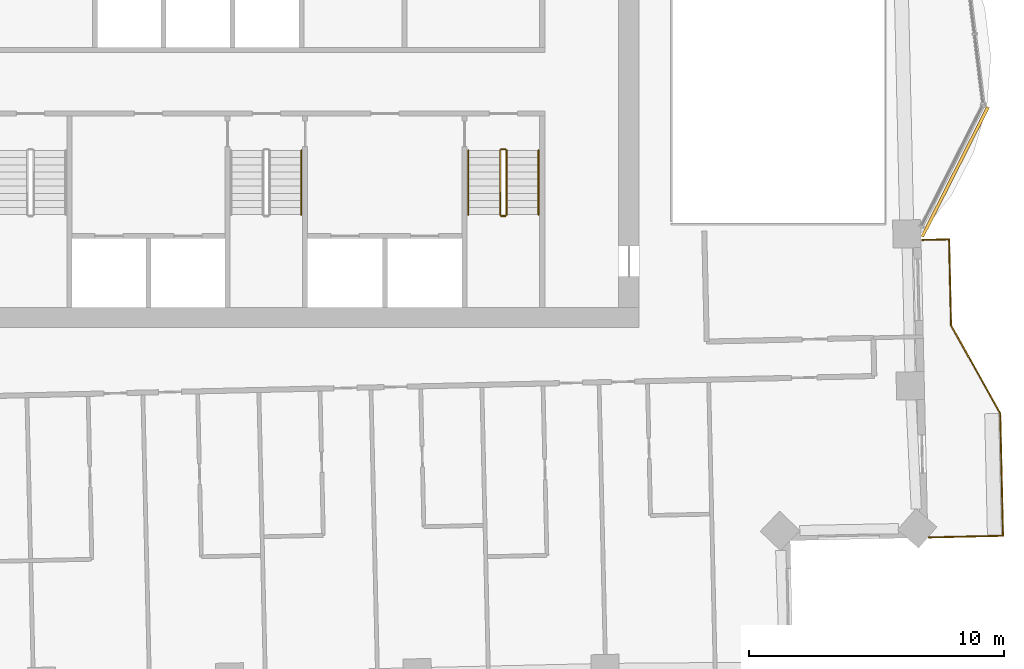
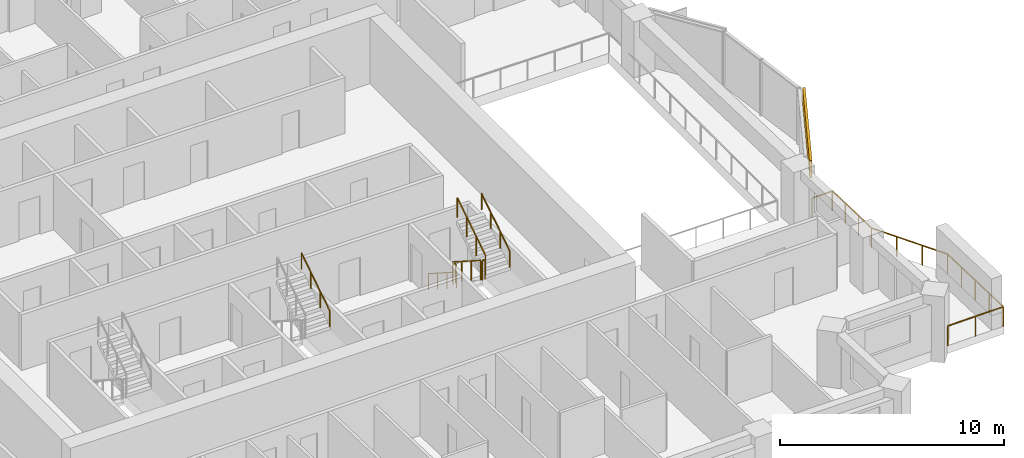
# One storey, part 16 of 17: 8 railings, 1 covering.
"""IFC4 building model written with IfcOpenShell, lengths in metres."""

from ifc_helpers import new_model, si_unit, direction, frame, frame_2d, origin, origin_2d, place, context, subcontext, project, spatial, rectangle, circle, extrude, material, layer, layer_set, type_object, element, save


model = new_model("IFC4")

# Units and contexts
model_context = context("Model", 3, precision=1e-05, world=origin(), true_north=direction((0.0, 1.0)))
body_context = subcontext(model_context, "Body", "Model", "MODEL_VIEW")
ifc_project = project(units=[si_unit("LENGTHUNIT", "METRE"), si_unit("AREAUNIT", "SQUARE_METRE"), si_unit("VOLUMEUNIT", "CUBIC_METRE"), si_unit("PLANEANGLEUNIT", "RADIAN"), si_unit("MASSUNIT", "GRAM", prefix="KILO")], contexts=[model_context])

# Site, building, storey
site_placement = place(None, origin())
site = spatial("IfcSite", under=ifc_project, at=site_placement, CompositionType="ELEMENT")
building_placement = place(site_placement, origin())
building = spatial("IfcBuilding", under=site, at=building_placement, Name="Mangrove Gate Tower", CompositionType="ELEMENT")
storey_placement = place(building_placement, frame((0.0, 0.0, 238.300048828125)))
storey = spatial("IfcBuildingStorey", under=building, at=storey_placement, Name="L60", CompositionType="ELEMENT", Elevation=238.300048828125)

# Railings
ifc_material_1 = material(Name="Stainless steel grade 316 with laminated glass infill", Category="steel")
railing_type_1 = type_object("IfcRailingType", Name="Balcony guard 1100", PredefinedType="GUARDRAIL", material=ifc_material_1)
railing_1_placement = place(storey_placement, frame((25.964111328125, -19.8291015625, 0.0)))
element("IfcRailing", 1, at=railing_1_placement, inside=storey, type_object=railing_type_1, Name="GUARD L60 E1", PredefinedType="GUARDRAIL", context=body_context, shape_type="SweptSolid", body=[
    extrude(rectangle(XDim=0.048095703125, YDim=0.048095703125, at=origin_2d()), frame((0.0, 0.0, 1.076171875), z_axis=(0.99974144554, 0.022738559105, 0.0), x_axis=(-0.022738559105, 0.99974144554, 0.0)), (0.0, 0.0, 1.0), 2.90966796875),
    extrude(rectangle(XDim=0.048095703125, YDim=0.048095703125, at=origin_2d()), frame((2.908935546875, 0.066162109375, 1.076171875), z_axis=(-0.022739894798, 0.999741415159, 0.0), x_axis=(-0.999741415159, -0.022739894798, 0.0)), (0.0, 0.0, 1.0), 4.799072265625),
    extrude(rectangle(XDim=0.048095703125, YDim=0.048095703125, at=origin_2d()), frame((2.7998046875, 4.864013671875, 1.076171875), z_axis=(-0.48726008209, 0.87325689943, 0.0), x_axis=(-0.87325689943, -0.48726008209, 0.0)), (0.0, 0.0, 1.0), 3.958740234375),
    extrude(rectangle(XDim=0.048095703125, YDim=0.048095703125, at=origin_2d()), frame((0.870849609375, 8.321044921875, 1.076171875), z_axis=(-0.02278713509, 0.999740339525, 0.0), x_axis=(-0.999740339525, -0.02278713509, 0.0)), (0.0, 0.0, 1.0), 3.375),
    extrude(rectangle(XDim=0.048095703125, YDim=0.048095703125, at=origin_2d()), frame((0.7939453125, 11.695068359375, 1.076171875), z_axis=(-0.999744919731, -0.022585293253, 0.0), x_axis=(0.022585293253, -0.999744919731, 0.0)), (0.0, 0.0, 1.0), 1.059326171875),
    extrude(rectangle(XDim=0.0419921875, YDim=0.0419921875, at=origin_2d()), origin(), (0.0, 0.0, 1.0), 1.052001953125),
    extrude(rectangle(XDim=0.0419921875, YDim=0.0419921875, at=origin_2d()), frame((1.45458984375, 0.033203125, 0.0)), (0.0, 0.0, 1.0), 1.052001953125),
    extrude(rectangle(XDim=0.0419921875, YDim=0.0419921875, at=origin_2d()), frame((2.908935546875, 0.066162109375, 0.0)), (0.0, 0.0, 1.0), 1.052001953125),
    extrude(rectangle(XDim=0.0419921875, YDim=0.0419921875, at=origin_2d()), frame((2.881591796875, 1.265625, 0.0)), (0.0, 0.0, 1.0), 1.052001953125),
    extrude(rectangle(XDim=0.0419921875, YDim=0.0419921875, at=origin_2d()), frame((2.8544921875, 2.465087890625, 0.0)), (0.0, 0.0, 1.0), 1.052001953125),
    extrude(rectangle(XDim=0.0419921875, YDim=0.0419921875, at=origin_2d()), frame((2.8271484375, 3.66455078125, 0.0)), (0.0, 0.0, 1.0), 1.052001953125),
    extrude(rectangle(XDim=0.0419921875, YDim=0.0419921875, at=origin_2d()), frame((2.7998046875, 4.864013671875, 0.0)), (0.0, 0.0, 1.0), 1.052001953125),
    extrude(rectangle(XDim=0.0419921875, YDim=0.0419921875, at=origin_2d()), frame((2.15673828125, 6.016357421875, 0.0)), (0.0, 0.0, 1.0), 1.052001953125),
    extrude(rectangle(XDim=0.0419921875, YDim=0.0419921875, at=origin_2d()), frame((1.513916015625, 7.168701171875, 0.0)), (0.0, 0.0, 1.0), 1.052001953125),
    extrude(rectangle(XDim=0.0419921875, YDim=0.0419921875, at=origin_2d()), frame((0.870849609375, 8.321044921875, 0.0)), (0.0, 0.0, 1.0), 1.052001953125),
    extrude(rectangle(XDim=0.0419921875, YDim=0.0419921875, at=origin_2d()), frame((0.84521484375, 9.44580078125, 0.0)), (0.0, 0.0, 1.0), 1.052001953125),
    extrude(rectangle(XDim=0.0419921875, YDim=0.0419921875, at=origin_2d()), frame((0.819580078125, 10.5703125, 0.0)), (0.0, 0.0, 1.0), 1.052001953125),
    extrude(rectangle(XDim=0.0419921875, YDim=0.0419921875, at=origin_2d()), frame((0.7939453125, 11.695068359375, 0.0)), (0.0, 0.0, 1.0), 1.052001953125),
    extrude(rectangle(XDim=0.0419921875, YDim=0.0419921875, at=origin_2d()), frame((-0.26513671875, 11.671142578125, 0.0)), (0.0, 0.0, 1.0), 1.052001953125),
])
ifc_material_2 = material(Name="Stainless steel 316", Category="steel")
railing_type_2 = type_object("IfcRailingType", Name="Core stair guard 1100", PredefinedType="GUARDRAIL", material=ifc_material_2)
railing_2_placement = place(storey_placement, frame((9.14990234375, -4.64990234375, 0.179931640625)))
element("IfcRailing", 2, at=railing_2_placement, inside=storey, type_object=railing_type_2, Name="L60 ST3 stair guard 1", PredefinedType="GUARDRAIL", context=body_context, shape_type="SweptSolid", body=[
    extrude(rectangle(XDim=0.048095703125, YDim=0.048095703125, at=origin_2d()), frame((0.0, 0.0, 1.076171875), z_axis=(0.0, -0.841162588446, 0.540782303519), x_axis=(1.0, 0.0, 0.0)), (0.0, 0.0, 1.0), 2.995849609375),
    extrude(rectangle(XDim=0.0419921875, YDim=0.0419921875, at=origin_2d()), origin(), (0.0, 0.0, 1.0), 1.052001953125),
    extrude(rectangle(XDim=0.0419921875, YDim=0.0419921875, at=origin_2d()), frame((0.0, -0.840087890625, 0.5400390625)), (0.0, 0.0, 1.0), 1.052001953125),
    extrude(rectangle(XDim=0.0419921875, YDim=0.0419921875, at=origin_2d()), frame((0.0, -1.679931640625, 1.080078125)), (0.0, 0.0, 1.0), 1.052001953125),
    extrude(rectangle(XDim=0.0419921875, YDim=0.0419921875, at=origin_2d()), frame((0.0, -2.52001953125, 1.6201171875)), (0.0, 0.0, 1.0), 1.052001953125),
])
railing_3_placement = place(storey_placement, frame((9.199951171875, -7.219970703125, 1.800048828125)))
element("IfcRailing", 3, at=railing_3_placement, inside=storey, type_object=railing_type_2, Name="L60 ST3 stair guard 2", PredefinedType="GUARDRAIL", context=body_context, shape_type="SweptSolid", body=[
    extrude(rectangle(XDim=0.048095703125, YDim=0.048095703125, at=origin_2d()), frame((0.0, 0.0, 1.076171875), z_axis=(1.0, 0.0, 0.0), x_axis=(0.0, 1.0, 0.0)), (0.0, 0.0, 1.0), 0.150146484375),
    extrude(rectangle(XDim=0.0419921875, YDim=0.0419921875, at=origin_2d()), origin(), (0.0, 0.0, 1.0), 1.052001953125),
    extrude(rectangle(XDim=0.0419921875, YDim=0.0419921875, at=origin_2d()), frame((0.150146484375, 0.0, 0.0)), (0.0, 0.0, 1.0), 1.052001953125),
])
railing_4_placement = place(storey_placement, frame((9.39990234375, -7.169921875, 1.97998046875)))
element("IfcRailing", 4, at=railing_4_placement, inside=storey, type_object=railing_type_2, Name="L60 ST3 stair guard 3", PredefinedType="GUARDRAIL", context=body_context, shape_type="SweptSolid", body=[
    extrude(rectangle(XDim=0.048095703125, YDim=0.048095703125, at=origin_2d()), frame((0.0, 0.0, 1.076171875), z_axis=(0.0, 0.841199657755, 0.540724639528), x_axis=(-1.0, 0.0, 0.0)), (0.0, 0.0, 1.0), 2.995849609375),
    extrude(rectangle(XDim=0.0419921875, YDim=0.0419921875, at=origin_2d()), origin(), (0.0, 0.0, 1.0), 1.052001953125),
    extrude(rectangle(XDim=0.0419921875, YDim=0.0419921875, at=origin_2d()), frame((0.0, 0.840087890625, 0.5400390625)), (0.0, 0.0, 1.0), 1.052001953125),
    extrude(rectangle(XDim=0.0419921875, YDim=0.0419921875, at=origin_2d()), frame((0.0, 1.679931640625, 1.079833984375)), (0.0, 0.0, 1.0), 1.052001953125),
    extrude(rectangle(XDim=0.0419921875, YDim=0.0419921875, at=origin_2d()), frame((0.0, 2.52001953125, 1.619873046875)), (0.0, 0.0, 1.0), 1.052001953125),
])
railing_5_placement = place(storey_placement, frame((9.199951171875, -4.60009765625, 0.0)))
element("IfcRailing", 5, at=railing_5_placement, inside=storey, type_object=railing_type_2, Name="L60 ST3 stair guard 4", PredefinedType="GUARDRAIL", context=body_context, shape_type="SweptSolid", body=[
    extrude(rectangle(XDim=0.048095703125, YDim=0.048095703125, at=origin_2d()), frame((0.0, 0.0, 1.076171875), z_axis=(1.0, 0.0, 0.0), x_axis=(0.0, 1.0, 0.0)), (0.0, 0.0, 1.0), 0.150146484375),
    extrude(rectangle(XDim=0.0419921875, YDim=0.0419921875, at=origin_2d()), origin(), (0.0, 0.0, 1.0), 1.052001953125),
    extrude(rectangle(XDim=0.0419921875, YDim=0.0419921875, at=origin_2d()), frame((0.150146484375, 0.0, 0.0)), (0.0, 0.0, 1.0), 1.052001953125),
])
ifc_material_3 = material(Name="Stainless steel 316", Category="steel")
railing_type_3 = type_object("IfcRailingType", Name="Core stair handrail 900", PredefinedType="HANDRAIL", material=ifc_material_3)
railing_6_placement = place(storey_placement, frame((1.35009765625, -7.169921875, 1.97998046875)))
element("IfcRailing", 6, at=railing_6_placement, inside=storey, type_object=railing_type_3, Name="L60 ST2 stair handrail 2", PredefinedType="HANDRAIL", context=body_context, shape_type="SweptSolid", body=[
    extrude(circle(Radius=0.02392578125, at=origin_2d()), frame((0.0, 0.0, 0.8759765625), z_axis=(0.0, 0.841199657755, 0.540724639528), x_axis=(-1.0, 0.0, 0.0)), (0.0, 0.0, 1.0), 2.995849609375),
    extrude(circle(Radius=0.02099609375, at=origin_2d()), origin(), (0.0, 0.0, 1.0), 0.851806640625),
    extrude(circle(Radius=0.02099609375, at=origin_2d()), frame((0.0, 0.840087890625, 0.5400390625)), (0.0, 0.0, 1.0), 0.851806640625),
    extrude(circle(Radius=0.02099609375, at=origin_2d()), frame((0.0, 1.679931640625, 1.079833984375)), (0.0, 0.0, 1.0), 0.851806640625),
    extrude(circle(Radius=0.02099609375, at=origin_2d()), frame((0.0, 2.52001953125, 1.619873046875)), (0.0, 0.0, 1.0), 0.851806640625),
])
railing_7_placement = place(storey_placement, frame((7.89990234375, -4.64990234375, 0.179931640625)))
element("IfcRailing", 7, at=railing_7_placement, inside=storey, type_object=railing_type_3, Name="L60 ST3 stair handrail 1", PredefinedType="HANDRAIL", context=body_context, shape_type="SweptSolid", body=[
    extrude(circle(Radius=0.02392578125, at=origin_2d()), frame((0.0, 0.0, 0.8759765625), z_axis=(0.0, -0.841162588446, 0.540782303519), x_axis=(1.0, 0.0, 0.0)), (0.0, 0.0, 1.0), 2.995849609375),
    extrude(circle(Radius=0.02099609375, at=origin_2d()), origin(), (0.0, 0.0, 1.0), 0.851806640625),
    extrude(circle(Radius=0.02099609375, at=origin_2d()), frame((0.0, -0.840087890625, 0.5400390625)), (0.0, 0.0, 1.0), 0.851806640625),
    extrude(circle(Radius=0.02099609375, at=origin_2d()), frame((0.0, -1.679931640625, 1.080078125)), (0.0, 0.0, 1.0), 0.851806640625),
    extrude(circle(Radius=0.02099609375, at=origin_2d()), frame((0.0, -2.52001953125, 1.6201171875)), (0.0, 0.0, 1.0), 0.851806640625),
])
railing_8_placement = place(storey_placement, frame((10.64990234375, -7.169921875, 1.97998046875)))
element("IfcRailing", 8, at=railing_8_placement, inside=storey, type_object=railing_type_3, Name="L60 ST3 stair handrail 2", PredefinedType="HANDRAIL", context=body_context, shape_type="SweptSolid", body=[
    extrude(circle(Radius=0.02392578125, at=origin_2d()), frame((0.0, 0.0, 0.8759765625), z_axis=(0.0, 0.841199657755, 0.540724639528), x_axis=(-1.0, 0.0, 0.0)), (0.0, 0.0, 1.0), 2.995849609375),
    extrude(circle(Radius=0.02099609375, at=origin_2d()), origin(), (0.0, 0.0, 1.0), 0.851806640625),
    extrude(circle(Radius=0.02099609375, at=origin_2d()), frame((0.0, 0.840087890625, 0.5400390625)), (0.0, 0.0, 1.0), 0.851806640625),
    extrude(circle(Radius=0.02099609375, at=origin_2d()), frame((0.0, 1.679931640625, 1.079833984375)), (0.0, 0.0, 1.0), 0.851806640625),
    extrude(circle(Radius=0.02099609375, at=origin_2d()), frame((0.0, 2.52001953125, 1.619873046875)), (0.0, 0.0, 1.0), 0.851806640625),
])

# Covering
ifc_material_4 = material(Name="Limestone", Category="masonry")
ifc_layer_1 = layer(ifc_material_4, 0.0400390625, Name="Limestone cladding")
ifc_material_5 = material(Name="Stainless steel anchors and cavity", Category="steel")
ifc_layer_2 = layer(ifc_material_5, 0.080078125, Name="Fixing cavity")
ifc_layer_set = layer_set([ifc_layer_1, ifc_layer_2], Name="Joint fascia cladding 120")
covering_type = type_object("IfcCoveringType", Name="Joint fascia cladding 120", PredefinedType="CLADDING", material=ifc_layer_set)
covering_placement = place(storey_placement, frame((25.705810546875, -8.0322265625, 2.099853515625), z_axis=(0.0, 0.0, 1.0), x_axis=(0.452631638667, 0.891697594299, 0.0)))
element("IfcCovering", 9, at=covering_placement, inside=storey, type_object=covering_type, Name="STONE FASCIA L60 E1.L1", PredefinedType="CLADDING", context=body_context, shape_type="SweptSolid", body=[
    extrude(rectangle(XDim=5.705078125, YDim=0.1201171875, at=frame_2d((2.8525390625, 0.0))), origin(), (0.0, 0.0, 1.0), 0.9501953125),
])

save(model, "model.ifc")
